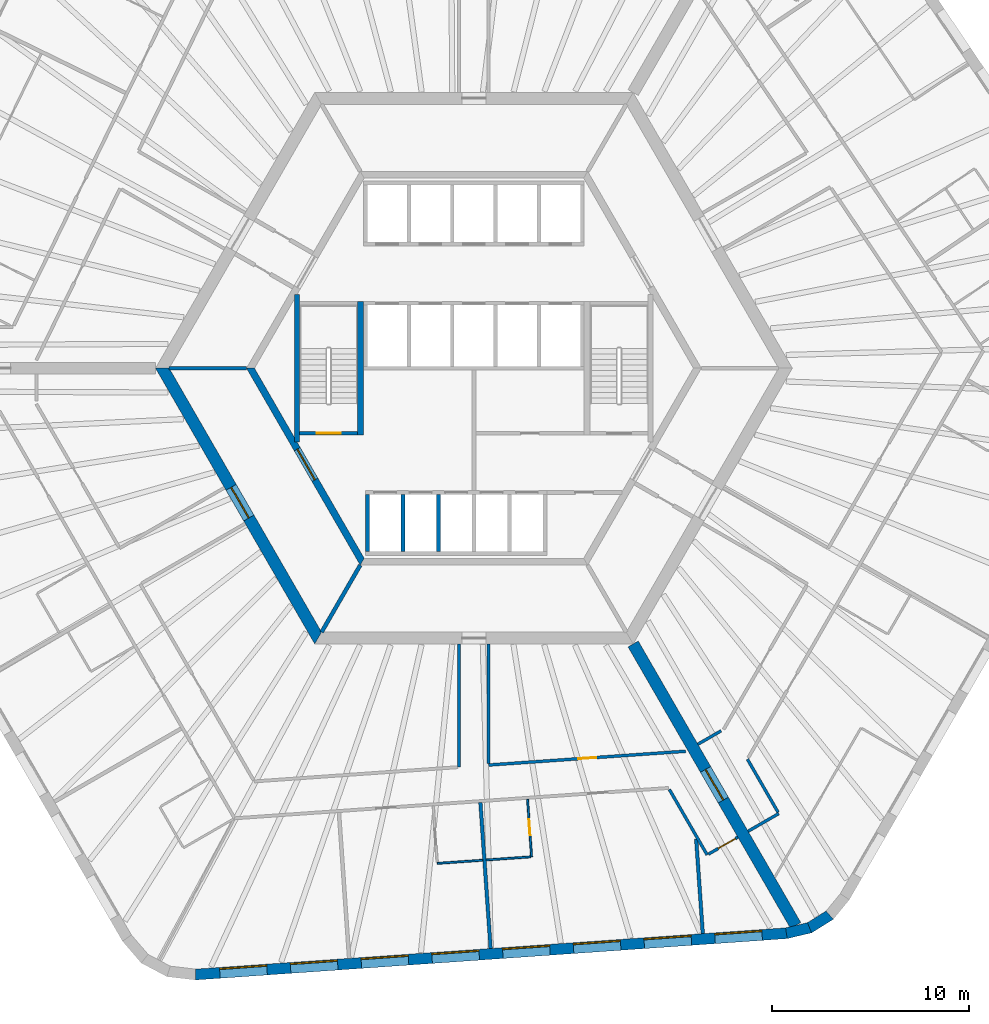
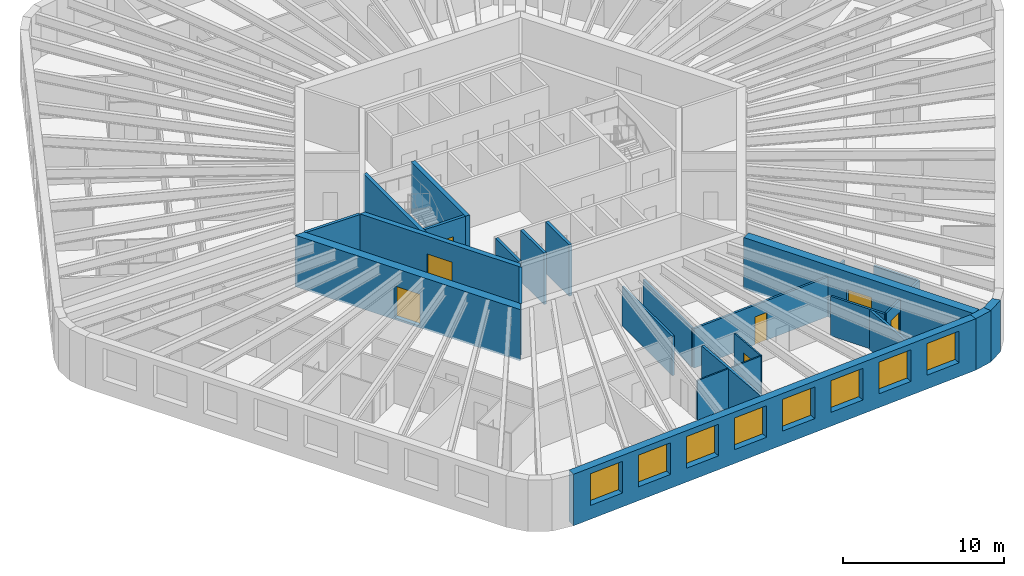
# One storey, part 4 of 12: 27 walls, 8 windows, 7 doors, 15 openings.
"""IFC4 building model written with IfcOpenShell, lengths in metres."""

from ifc_helpers import new_model, si_unit, direction, frame, frame_2d, origin, place, context, subcontext, project, spatial, polyline, rectangle, outline, extrude, material, layer, layer_set, type_object, element, fill, save


model = new_model("IFC4")

# Units and contexts
model_context = context("Model", 3, precision=1e-05, world=origin(), true_north=direction((0.0, 1.0)))
body_context = subcontext(model_context, "Body", "Model", "MODEL_VIEW")
ifc_project = project(units=[si_unit("LENGTHUNIT", "METRE"), si_unit("AREAUNIT", "SQUARE_METRE"), si_unit("VOLUMEUNIT", "CUBIC_METRE"), si_unit("PLANEANGLEUNIT", "RADIAN"), si_unit("MASSUNIT", "GRAM", prefix="KILO")], contexts=[model_context])

# Site, building, storey
site_placement = place(None, origin())
site = spatial("IfcSite", under=ifc_project, at=site_placement, CompositionType="ELEMENT")
building_placement = place(site_placement, origin())
building = spatial("IfcBuilding", under=site, at=building_placement, Name="Tarnside Tower", CompositionType="ELEMENT")
storey_placement = place(building_placement, frame((0.0, 0.0, 76.5)))
storey = spatial("IfcBuildingStorey", under=building, at=storey_placement, Name="L16", CompositionType="ELEMENT", Elevation=76.5)

# Wall
ifc_material_1 = material(Name="Gypsum board partition on steel studs", Category="steel")
ifc_layer_1 = layer(ifc_material_1, 0.10009765625)
ifc_layer_set_1 = layer_set([ifc_layer_1], Name="Bathroom wall 100")
wall_type_1 = type_object("IfcWallType", Name="Bathroom wall 100", PredefinedType="PARTITIONING", material=ifc_layer_set_1)
wall_1_placement = place(storey_placement, frame((0.4423828125, -24.97998046875, 0.0), z_axis=(0.0, 0.0, 1.0), x_axis=(-0.997563824095, -0.069759707979, 0.0)))
element("IfcWall", 1, at=wall_1_placement, inside=storey, type_object=wall_type_1, Name="Bathroom wall 04120", PredefinedType="PARTITIONING", context=body_context, shape_type="SweptSolid", body=[
    extrude(rectangle(XDim=2.309814453125, YDim=0.10009765625, at=frame_2d((1.15478515625, 0.0))), origin(), (0.0, 0.0, 1.0), 2.98779296875),
])

# Wall, opening, door
wall_2_placement = place(storey_placement, frame((2.722412109375, -21.888427734375, 0.0), z_axis=(0.0, 0.0, 1.0), x_axis=(0.069775971057, -0.997562686683, 0.0)))
wall_2 = element("IfcWall", 2, at=wall_2_placement, inside=storey, type_object=wall_type_1, Name="Bathroom wall 04124", PredefinedType="PARTITIONING", context=body_context, shape_type="SweptSolid", body=[
    extrude(rectangle(XDim=2.925048828125, YDim=0.10009765625, at=frame_2d((1.46240234375, 0.0))), origin(), (0.0, 0.0, 1.0), 2.98779296875),
])
opening_1_placement = place(wall_2_placement, frame((1.02490234375, 0.0, 0.0)))
opening_1 = element("IfcOpeningElement", 3, at=opening_1_placement, cuts=wall_2, Name="Opening D-B1", PredefinedType="OPENING", context=body_context, shape_type="SweptSolid", body=[
    extrude(rectangle(XDim=0.800048828125, YDim=2.10009765625, at=frame_2d((0.39990234375, 1.050048828125))), frame((0.0, 0.06005859375, 0.0), z_axis=(0.0, -1.0, 0.0), x_axis=(1.0, 0.0, 0.0)), (0.0, 0.0, 1.0), 0.1201171875),
])
ifc_material_2 = material(Name="Timber door leaf", Category="wood")
door_type_1 = type_object("IfcDoorType", Name="Bathroom door 800", OperationType="NOTDEFINED", PredefinedType="DOOR", material=ifc_material_2)
door_1_placement = place(opening_1_placement, origin())
door_1 = element("IfcDoor", 4, at=door_1_placement, inside=storey, type_object=door_type_1, Name="Bathroom door 04026", OperationType="SINGLE_SWING_RIGHT", OverallHeight=2.10009765625, OverallWidth=0.800048828125, PredefinedType="DOOR", context=body_context, shape_type="SweptSolid", body=[
    extrude(rectangle(XDim=0.800048828125, YDim=2.10009765625, at=frame_2d((0.39990234375, 1.050048828125))), frame((0.0, 0.02490234375, 0.0), z_axis=(0.0, -1.0, 0.0), x_axis=(1.0, 0.0, 0.0)), (0.0, 0.0, 1.0), 0.050048828125),
])
fill(opening_1, door_1)

# Wall
wall_3_placement = place(storey_placement, frame((2.87646484375, -24.809814453125, 0.0), z_axis=(0.0, 0.0, 1.0), x_axis=(-0.997561825928, -0.069788275888, 0.0)))
element("IfcWall", 5, at=wall_3_placement, inside=storey, type_object=wall_type_1, Name="Bathroom wall 04125", PredefinedType="PARTITIONING", context=body_context, shape_type="SweptSolid", body=[
    extrude(rectangle(XDim=2.260009765625, YDim=0.10009765625, at=frame_2d((1.1298828125, 0.0))), origin(), (0.0, 0.0, 1.0), 2.98779296875),
])

# Wall, opening, door
ifc_material_3 = material(Name="Concrete C50/60", Category="concrete")
ifc_layer_2 = layer(ifc_material_3, 0.35009765625)
ifc_layer_set_2 = layer_set([ifc_layer_2], Name="Core block wall 350 C50/60")
wall_type_2 = type_object("IfcWallType", Name="Core block wall 350 C50/60", PredefinedType="SHEAR", material=ifc_layer_set_2)
wall_4_placement = place(storey_placement, frame((-11.344970703125, 0.0, -0.14990234375), z_axis=(0.0, 0.0, 1.0), x_axis=(0.499995046907, -0.866028263435, 0.0)))
wall_4 = element("IfcWall", 6, at=wall_4_placement, inside=storey, type_object=wall_type_2, Name="L16 core block wall face 3", PredefinedType="SHEAR", context=body_context, shape_type="SweptSolid", body=[
    extrude(outline(polyline([(-0.10107421875, -0.175048828125), (11.44580078125, -0.175048828125), (11.24365234375, 0.175048828125), (0.10107421875, 0.175048828125), (-0.10107421875, -0.175048828125)])), origin(), (0.0, 0.0, 1.0), 3.89990234375),
])
opening_2_placement = place(wall_4_placement, frame((4.74365234375, 0.0, 0.14990234375)))
opening_2 = element("IfcOpeningElement", 7, at=opening_2_placement, cuts=wall_4, Name="Opening CD-FFL", PredefinedType="OPENING", context=body_context, shape_type="SweptSolid", body=[
    extrude(rectangle(XDim=1.800048828125, YDim=2.39990234375, at=frame_2d((0.89990234375, 1.199951171875))), frame((0.0, 0.18505859375, 0.0), z_axis=(0.0, -1.0, 0.0), x_axis=(1.0, 0.0, 0.0)), (0.0, 0.0, 1.0), 0.3701171875),
])
ifc_material_4 = material(Name="Steel fire door", Category="steel")
door_type_2 = type_object("IfcDoorType", Name="Firefighting lobby double door FD60S 1800x2400", OperationType="NOTDEFINED", PredefinedType="DOOR", material=ifc_material_4)
door_2_placement = place(opening_2_placement, origin())
door_2 = element("IfcDoor", 8, at=door_2_placement, inside=storey, type_object=door_type_2, Name="L16 lobby block door P3", OperationType="DOUBLE_DOOR_SINGLE_SWING", OverallHeight=2.39990234375, OverallWidth=1.800048828125, PredefinedType="DOOR", context=body_context, shape_type="SweptSolid", body=[
    extrude(rectangle(XDim=1.800048828125, YDim=2.39990234375, at=frame_2d((0.89990234375, 1.199951171875))), frame((0.0, 0.02490234375, 0.0), z_axis=(0.0, -1.0, 0.0), x_axis=(1.0, 0.0, 0.0)), (0.0, 0.0, 1.0), 0.050048828125),
])
fill(opening_2, door_2)

ifc_material_5 = material(Name="Concrete C80/95", Category="concrete")
ifc_layer_3 = layer(ifc_material_5, 0.60009765625)
ifc_layer_set_3 = layer_set([ifc_layer_3], Name="Core wall Z1 600 C80/95")
wall_type_3 = type_object("IfcWallType", Name="Core wall Z1 600 C80/95", PredefinedType="SHEAR", material=ifc_layer_set_3)
wall_5_placement = place(storey_placement, frame((-15.8193359375, 0.0, -0.14990234375), z_axis=(0.0, 0.0, 1.0), x_axis=(0.499999880136, -0.866025472988, 0.0)))
wall_5 = element("IfcWall", 9, at=wall_5_placement, inside=storey, type_object=wall_type_3, Name="L16 core wall face 3", PredefinedType="SHEAR", context=body_context, shape_type="SweptSolid", body=[
    extrude(outline(polyline([(-0.17333984375, -0.300048828125), (15.99267578125, -0.300048828125), (15.64599609375, 0.300048828125), (0.17333984375, 0.300048828125), (-0.17333984375, -0.300048828125)])), origin(), (0.0, 0.0, 1.0), 3.89990234375),
])
opening_3_placement = place(wall_5_placement, frame((6.980712890625, 0.0, 0.14990234375)))
opening_3 = element("IfcOpeningElement", 10, at=opening_3_placement, cuts=wall_5, Name="Opening CD-FFL", PredefinedType="OPENING", context=body_context, shape_type="SweptSolid", body=[
    extrude(rectangle(XDim=1.800048828125, YDim=2.39990234375, at=frame_2d((0.89990234375, 1.199951171875))), frame((0.0, 0.31005859375, 0.0), z_axis=(0.0, -1.0, 0.0), x_axis=(1.0, 0.0, 0.0)), (0.0, 0.0, 1.0), 0.6201171875),
])
door_3_placement = place(opening_3_placement, origin())
door_3 = element("IfcDoor", 11, at=door_3_placement, inside=storey, type_object=door_type_2, Name="L16 core door P3", OperationType="DOUBLE_DOOR_SINGLE_SWING", OverallHeight=2.39990234375, OverallWidth=1.800048828125, PredefinedType="DOOR", context=body_context, shape_type="SweptSolid", body=[
    extrude(rectangle(XDim=1.800048828125, YDim=2.39990234375, at=frame_2d((0.89990234375, 1.199951171875))), frame((0.0, 0.02490234375, 0.0), z_axis=(0.0, -1.0, 0.0), x_axis=(1.0, 0.0, 0.0)), (0.0, 0.0, 1.0), 0.050048828125),
])
fill(opening_3, door_3)

wall_6_placement = place(storey_placement, frame((8.0830078125, -14.0, -0.14990234375), z_axis=(0.0, 0.0, 1.0), x_axis=(0.499997680643, -0.866026742862, 0.0)))
wall_6 = element("IfcWall", 12, at=wall_6_placement, inside=storey, type_object=wall_type_3, Name="L16 spine wall 3", PredefinedType="SHEAR", context=body_context, shape_type="SweptSolid", body=[
    extrude(rectangle(XDim=16.5087890625, YDim=0.60009765625, at=frame_2d((8.25439453125, 0.0))), origin(), (0.0, 0.0, 1.0), 3.89990234375),
])
opening_4_placement = place(wall_6_placement, frame((7.3544921875, 0.0, 0.14990234375)))
opening_4 = element("IfcOpeningElement", 13, at=opening_4_placement, cuts=wall_6, Name="Opening CD-SPN", PredefinedType="OPENING", context=body_context, shape_type="SweptSolid", body=[
    extrude(rectangle(XDim=1.800048828125, YDim=2.39990234375, at=frame_2d((0.89990234375, 1.199951171875))), frame((0.0, 0.31005859375, 0.0), z_axis=(0.0, -1.0, 0.0), x_axis=(1.0, 0.0, 0.0)), (0.0, 0.0, 1.0), 0.6201171875),
])
door_type_3 = type_object("IfcDoorType", Name="Spine passage double door FD60 1800x2400", OperationType="NOTDEFINED", PredefinedType="DOOR", material=ifc_material_4)
door_4_placement = place(opening_4_placement, origin())
door_4 = element("IfcDoor", 14, at=door_4_placement, inside=storey, type_object=door_type_3, Name="L16 spine passage door 3", OperationType="DOUBLE_DOOR_SINGLE_SWING", OverallHeight=2.39990234375, OverallWidth=1.800048828125, PredefinedType="DOOR", context=body_context, shape_type="SweptSolid", body=[
    extrude(rectangle(XDim=1.800048828125, YDim=2.39990234375, at=frame_2d((0.89990234375, 1.199951171875))), frame((0.0, 0.02490234375, 0.0), z_axis=(0.0, -1.0, 0.0), x_axis=(1.0, 0.0, 0.0)), (0.0, 0.0, 1.0), 0.050048828125),
])
fill(opening_4, door_4)

# Wall
ifc_layer_4 = layer(ifc_material_1, 0.14990234375)
ifc_layer_set_4 = layer_set([ifc_layer_4], Name="Corridor wall 150 EI 60")
wall_type_4 = type_object("IfcWallType", Name="Corridor wall 150 EI 60", PredefinedType="PARTITIONING", material=ifc_layer_set_4)
wall_7_placement = place(storey_placement, frame((9.921630859375, -21.385009765625, 0.0), z_axis=(0.0, 0.0, 1.0), x_axis=(0.500023335103, -0.866011930837, 0.0)))
element("IfcWall", 15, at=wall_7_placement, inside=storey, type_object=wall_type_4, Name="Corridor wall 04037", PredefinedType="PARTITIONING", context=body_context, shape_type="SweptSolid", body=[
    extrude(rectangle(XDim=3.839599609375, YDim=0.14990234375, at=frame_2d((1.919921875, 0.0))), origin(), (0.0, 0.0, 1.0), 2.98779296875),
])

# Wall, opening, door
wall_8_placement = place(storey_placement, frame((11.906494140625, -24.672607421875, 0.0), z_axis=(0.0, 0.0, 1.0), x_axis=(0.866013532718, 0.500020560727, 0.0)))
wall_8 = element("IfcWall", 16, at=wall_8_placement, inside=storey, type_object=wall_type_4, Name="Corridor wall 04040", PredefinedType="PARTITIONING", context=body_context, shape_type="SweptSolid", body=[
    extrude(rectangle(XDim=1.72509765625, YDim=0.14990234375, at=frame_2d((0.862548828125, 0.0))), origin(), (0.0, 0.0, 1.0), 2.98779296875),
])
opening_5_placement = place(wall_8_placement, frame((0.574951171875, 0.0, 0.0)))
opening_5 = element("IfcOpeningElement", 17, at=opening_5_placement, cuts=wall_8, Name="Opening D-E1", PredefinedType="OPENING", context=body_context, shape_type="SweptSolid", body=[
    extrude(rectangle(XDim=1.0, YDim=2.10009765625, at=frame_2d((0.5, 1.050048828125))), frame((0.0, 0.0849609375, 0.0), z_axis=(0.0, -1.0, 0.0), x_axis=(1.0, 0.0, 0.0)), (0.0, 0.0, 1.0), 0.169921875),
])
door_type_4 = type_object("IfcDoorType", Name="Unit entrance door 1000 FD30S", OperationType="NOTDEFINED", PredefinedType="DOOR", material=ifc_material_2)
door_5_placement = place(opening_5_placement, origin())
door_5 = element("IfcDoor", 18, at=door_5_placement, inside=storey, type_object=door_type_4, Name="Unit door 04027", OperationType="SINGLE_SWING_LEFT", OverallHeight=2.10009765625, OverallWidth=1.0, PredefinedType="DOOR", context=body_context, shape_type="SweptSolid", body=[
    extrude(rectangle(XDim=1.0, YDim=2.10009765625, at=frame_2d((0.5, 1.050048828125))), frame((0.0, 0.02490234375, 0.0), z_axis=(0.0, -1.0, 0.0), x_axis=(1.0, 0.0, 0.0)), (0.0, 0.0, 1.0), 0.050048828125),
])
fill(opening_5, door_5)

# Wall
wall_9_placement = place(storey_placement, frame((-0.75, -14.0, 0.0), z_axis=(0.0, 0.0, 1.0), x_axis=(0.0, -1.0, 0.0)))
element("IfcWall", 19, at=wall_9_placement, inside=storey, type_object=wall_type_4, Name="Corridor wall 04044", PredefinedType="PARTITIONING", context=body_context, shape_type="SweptSolid", body=[
    extrude(rectangle(XDim=6.251708984375, YDim=0.14990234375, at=frame_2d((3.1259765625, 0.0))), origin(), (0.0, 0.0, 1.0), 2.98779296875),
])

# Wall, opening, door
wall_10_placement = place(storey_placement, frame((10.75439453125, -19.447265625, 0.0), z_axis=(0.0, 0.0, 1.0), x_axis=(-0.997564830966, -0.069745308232, 0.0)))
wall_10 = element("IfcWall", 20, at=wall_10_placement, inside=storey, type_object=wall_type_4, Name="Corridor wall 04048", PredefinedType="PARTITIONING", context=body_context, shape_type="SweptSolid", body=[
    extrude(rectangle(XDim=10.02880859375, YDim=0.14990234375, at=frame_2d((5.014404296875, 0.0))), origin(), (0.0, 0.0, 1.0), 2.98779296875),
])
opening_6_placement = place(wall_10_placement, frame((4.564453125, 0.0, 0.0)))
opening_6 = element("IfcOpeningElement", 21, at=opening_6_placement, cuts=wall_10, Name="Opening D-S1", PredefinedType="OPENING", context=body_context, shape_type="SweptSolid", body=[
    extrude(rectangle(XDim=0.89990234375, YDim=2.10009765625, at=frame_2d((0.449951171875, 1.050048828125))), frame((0.0, 0.0849609375, 0.0), z_axis=(0.0, -1.0, 0.0), x_axis=(1.0, 0.0, 0.0)), (0.0, 0.0, 1.0), 0.169921875),
])
door_type_5 = type_object("IfcDoorType", Name="Service room door 900 FD30S", OperationType="NOTDEFINED", PredefinedType="DOOR", material=ifc_material_2)
door_6_placement = place(opening_6_placement, origin())
door_6 = element("IfcDoor", 22, at=door_6_placement, inside=storey, type_object=door_type_5, Name="Service door 04046", OperationType="SINGLE_SWING_LEFT", OverallHeight=2.10009765625, OverallWidth=0.89990234375, PredefinedType="DOOR", context=body_context, shape_type="SweptSolid", body=[
    extrude(rectangle(XDim=0.89990234375, YDim=2.10009765625, at=frame_2d((0.449951171875, 1.050048828125))), frame((0.0, 0.02490234375, 0.0), z_axis=(0.0, -1.0, 0.0), x_axis=(1.0, 0.0, 0.0)), (0.0, 0.0, 1.0), 0.050048828125),
])
fill(opening_6, door_6)

# Walls
wall_11_placement = place(storey_placement, frame((0.75, -20.071533203125, 0.0), z_axis=(0.0, 0.0, 1.0), x_axis=(0.0, 1.0, 0.0)))
element("IfcWall", 23, at=wall_11_placement, inside=storey, type_object=wall_type_4, Name="Corridor wall 04049", PredefinedType="PARTITIONING", context=body_context, shape_type="SweptSolid", body=[
    extrude(rectangle(XDim=6.071533203125, YDim=0.14990234375, at=frame_2d((3.03564453125, 0.0))), origin(), (0.0, 0.0, 1.0), 2.98779296875),
])
wall_12_placement = place(storey_placement, frame((13.919921875, -23.510009765625, 0.0), z_axis=(0.0, 0.0, 1.0), x_axis=(0.866047807691, 0.499961193289, 0.0)))
element("IfcWall", 24, at=wall_12_placement, inside=storey, type_object=wall_type_4, Name="Corridor wall 04050", PredefinedType="PARTITIONING", context=body_context, shape_type="SweptSolid", body=[
    extrude(rectangle(XDim=1.800048828125, YDim=0.14990234375, at=frame_2d((0.89990234375, 0.0))), origin(), (0.0, 0.0, 1.0), 2.98779296875),
])
wall_13_placement = place(storey_placement, frame((15.44140625, -22.545166015625, 0.0), z_axis=(0.0, 0.0, 1.0), x_axis=(-0.500037089193, 0.86600398927, 0.0)))
element("IfcWall", 25, at=wall_13_placement, inside=storey, type_object=wall_type_4, Name="Corridor wall 04051", PredefinedType="PARTITIONING", context=body_context, shape_type="SweptSolid", body=[
    extrude(rectangle(XDim=3.112060546875, YDim=0.14990234375, at=frame_2d((1.55615234375, 0.0))), origin(), (0.0, 0.0, 1.0), 2.98779296875),
])
wall_14_placement = place(storey_placement, frame((12.552001953125, -18.409423828125, 0.0), z_axis=(0.0, 0.0, 1.0), x_axis=(-0.866078408764, -0.499908181442, 0.0)))
element("IfcWall", 26, at=wall_14_placement, inside=storey, type_object=wall_type_4, Name="Corridor wall 04073", PredefinedType="PARTITIONING", context=body_context, shape_type="SweptSolid", body=[
    extrude(rectangle(XDim=1.365478515625, YDim=0.14990234375, at=frame_2d((0.6826171875, 0.0))), origin(), (0.0, 0.0, 1.0), 2.98779296875),
])
ifc_layer_5 = layer(ifc_material_1, 0.179931640625)
ifc_layer_set_5 = layer_set([ifc_layer_5], Name="Demising wall 180 EI 60")
wall_type_5 = type_object("IfcWallType", Name="Demising wall 180 EI 60", PredefinedType="PARTITIONING", material=ifc_layer_set_5)
wall_15_placement = place(storey_placement, frame((0.84619140625, -29.462646484375, 0.0), z_axis=(0.0, 0.0, 1.0), x_axis=(-0.069774810252, 0.997562767877, 0.0)))
element("IfcWall", 27, at=wall_15_placement, inside=storey, type_object=wall_type_5, Name="Demising wall 04122", PredefinedType="PARTITIONING", context=body_context, shape_type="SweptSolid", body=[
    extrude(rectangle(XDim=7.4248046875, YDim=0.179931640625, at=frame_2d((3.71240234375, 0.0))), origin(), (0.0, 0.0, 1.0), 2.98779296875),
])
wall_16_placement = place(storey_placement, frame((11.619873046875, -28.70947265625, 0.0), z_axis=(0.0, 0.0, 1.0), x_axis=(-0.069777301394, 0.99756259363, 0.0)))
element("IfcWall", 28, at=wall_16_placement, inside=storey, type_object=wall_type_5, Name="Demising wall 04126", PredefinedType="PARTITIONING", context=body_context, shape_type="SweptSolid", body=[
    extrude(rectangle(XDim=4.828369140625, YDim=0.179931640625, at=frame_2d((2.4140625, 0.0))), origin(), (0.0, 0.0, 1.0), 2.98779296875),
])
ifc_material_6 = material(Name="Concrete C40/50", Category="concrete")
ifc_layer_6 = layer(ifc_material_6, 0.199951171875)
ifc_layer_set_6 = layer_set([ifc_layer_6], Name="Lift shaft wall 200 C40/50")
wall_type_6 = type_object("IfcWallType", Name="Lift shaft wall 200 C40/50", PredefinedType="SHEAR", material=ifc_layer_set_6)
for number, where, z_axis, x_axis, name in (
    (29, (-5.39990234375, -9.300048828125, -0.25), (0.0, 0.0, 1.0), (0.0, 1.0, 0.0), "L16 lift shaft partition R41"),
    (30, (-3.60009765625, -9.300048828125, -0.25), (0.0, 0.0, 1.0), (0.0, 1.0, 0.0), "L16 lift shaft partition R42"),
    (31, (-1.800048828125, -9.300048828125, -0.25), (0.0, 0.0, 1.0), (0.0, 1.0, 0.0), "L16 lift shaft partition R43"),
):
    element("IfcWall", number, at=place(storey_placement, frame(where, z_axis=z_axis, x_axis=x_axis)), inside=storey, type_object=wall_type_6, Name=name, PredefinedType="SHEAR", context=body_context, shape_type="SweptSolid", body=[
        extrude(rectangle(XDim=2.900146484375, YDim=0.199951171875, at=frame_2d((1.4501953125, 0.0))), origin(), (0.0, 0.0, 1.0), 3.89990234375),
    ])
wall_17_placement = place(storey_placement, frame((-11.547119140625, 0.0, -0.14990234375), z_axis=(0.0, 0.0, 1.0), x_axis=(-1.0, 0.0, 0.0)))
element("IfcWall", 32, at=wall_17_placement, inside=storey, type_object=wall_type_6, Name="L16 core partition AR180", PredefinedType="SHEAR", context=body_context, shape_type="SweptSolid", body=[
    extrude(rectangle(XDim=3.92578125, YDim=0.199951171875, at=frame_2d((1.962890625, 0.0))), origin(), (0.0, 0.0, 1.0), 3.89990234375),
])
wall_18_placement = place(storey_placement, frame((-5.7734375, -10.0, -0.14990234375), z_axis=(0.0, 0.0, 1.0), x_axis=(-0.500038251005, -0.86600331843, 0.0)))
element("IfcWall", 33, at=wall_18_placement, inside=storey, type_object=wall_type_6, Name="L16 core partition AR240", PredefinedType="SHEAR", context=body_context, shape_type="SweptSolid", body=[
    extrude(rectangle(XDim=3.926025390625, YDim=0.199951171875, at=frame_2d((1.962890625, 0.0))), origin(), (0.0, 0.0, 1.0), 3.89990234375),
])

# Wall, opening, door
wall_19_placement = place(storey_placement, frame((-8.85009765625, -3.300048828125, -0.25), z_axis=(0.0, 0.0, 1.0), x_axis=(1.0, 0.0, 0.0)))
wall_19 = element("IfcWall", 34, at=wall_19_placement, inside=storey, type_object=wall_type_6, Name="L16 stair 2 enclosure cap wall s", PredefinedType="SHEAR", context=body_context, shape_type="SweptSolid", body=[
    extrude(rectangle(XDim=2.9501953125, YDim=0.199951171875, at=frame_2d((1.47509765625, 0.0))), origin(), (0.0, 0.0, 1.0), 3.89990234375),
])
opening_7_placement = place(wall_19_placement, frame((0.875, 0.0, 0.25)))
opening_7 = element("IfcOpeningElement", 35, at=opening_7_placement, cuts=wall_19, Name="Opening CD-STR", PredefinedType="OPENING", context=body_context, shape_type="SweptSolid", body=[
    extrude(rectangle(XDim=1.199951171875, YDim=2.39990234375, at=frame_2d((0.60009765625, 1.199951171875))), frame((0.0, 0.10986328125, 0.0), z_axis=(0.0, -1.0, 0.0), x_axis=(1.0, 0.0, 0.0)), (0.0, 0.0, 1.0), 0.219970703125),
])
door_type_6 = type_object("IfcDoorType", Name="Stair door FD60S 1200x2400", OperationType="NOTDEFINED", PredefinedType="DOOR", material=ifc_material_4)
door_7_placement = place(opening_7_placement, origin())
door_7 = element("IfcDoor", 36, at=door_7_placement, inside=storey, type_object=door_type_6, Name="L16 stair 2 door", OperationType="SINGLE_SWING_LEFT", OverallHeight=2.39990234375, OverallWidth=1.199951171875, PredefinedType="DOOR", context=body_context, shape_type="SweptSolid", body=[
    extrude(rectangle(XDim=1.199951171875, YDim=2.39990234375, at=frame_2d((0.60009765625, 1.199951171875))), frame((0.0, 0.02490234375, 0.0), z_axis=(0.0, -1.0, 0.0), x_axis=(1.0, 0.0, 0.0)), (0.0, 0.0, 1.0), 0.050048828125),
])
fill(opening_7, door_7)

# Walls
ifc_layer_7 = layer(ifc_material_6, 0.25)
ifc_layer_set_7 = layer_set([ifc_layer_7], Name="Stair enclosure wall 250 C40/50")
wall_type_7 = type_object("IfcWallType", Name="Stair enclosure wall 250 C40/50", PredefinedType="SHEAR", material=ifc_layer_set_7)
wall_20_placement = place(storey_placement, frame((-8.97509765625, -3.7548828125, -0.25), z_axis=(0.0, 0.0, 1.0), x_axis=(0.0, 1.0, 0.0)))
element("IfcWall", 37, at=wall_20_placement, inside=storey, type_object=wall_type_7, Name="L16 stair 2 enclosure wall outer", PredefinedType="SHEAR", context=body_context, shape_type="SweptSolid", body=[
    extrude(rectangle(XDim=7.509765625, YDim=0.25, at=frame_2d((3.7548828125, 0.0))), origin(), (0.0, 0.0, 1.0), 3.89990234375),
])
ifc_layer_8 = layer(ifc_material_6, 0.300048828125)
ifc_layer_set_8 = layer_set([ifc_layer_8], Name="Stair enclosure wall 300 C40/50")
wall_type_8 = type_object("IfcWallType", Name="Stair enclosure wall 300 C40/50", PredefinedType="SHEAR", material=ifc_layer_set_8)
wall_21_placement = place(storey_placement, frame((-5.75, -3.39990234375, -0.25), z_axis=(0.0, 0.0, 1.0), x_axis=(0.0, 1.0, 0.0)))
element("IfcWall", 38, at=wall_21_placement, inside=storey, type_object=wall_type_8, Name="L16 stair 2 enclosure wall inner", PredefinedType="SHEAR", context=body_context, shape_type="SweptSolid", body=[
    extrude(rectangle(XDim=6.7998046875, YDim=0.300048828125, at=frame_2d((3.39990234375, 0.0))), origin(), (0.0, 0.0, 1.0), 3.89990234375),
])

# Wall, openings, windows
ifc_material_7 = material(Name="Facing brick", Category="masonry")
ifc_layer_9 = layer(ifc_material_7, 0.10205078125)
ifc_material_8 = material(Name="Concrete C60/75 precast", Category="concrete")
ifc_layer_10 = layer(ifc_material_8, 0.347900390625)
ifc_material_9 = material(Name="Mineral wool insulation")
ifc_layer_11 = layer(ifc_material_9, 0.10009765625)
ifc_layer_set_9 = layer_set([ifc_layer_9, ifc_layer_10, ifc_layer_11], Name="Tube wall 550 brick faced")
wall_type_9 = type_object("IfcWallType", Name="Tube wall 550 brick faced", PredefinedType="SOLIDWALL", material=ifc_layer_set_9)
wall_22_placement = place(storey_placement, frame((-14.133544921875, -30.785888671875, -0.14990234375), z_axis=(0.0, 0.0, 1.0), x_axis=(0.997564037441, 0.069756657061, 0.0)))
wall_22 = element("IfcWall", 39, at=wall_22_placement, inside=storey, type_object=wall_type_9, Name="Tube wall L16 F4 flush 12", PredefinedType="SOLIDWALL", context=body_context, shape_type="SweptSolid", body=[
    extrude(outline(polyline([(-0.025634765625, -0.27490234375), (30.093505859375, -0.27490234375), (30.048583984375, 0.27490234375), (0.025634765625, 0.27490234375), (-0.025634765625, -0.27490234375)])), origin(), (0.0, 0.0, 1.0), 3.89990234375),
])
opening_8_placement = place(wall_22_placement, frame((1.235595703125, 0.0, 1.050048828125)))
opening_8 = element("IfcOpeningElement", 40, at=opening_8_placement, cuts=wall_22, Name="Opening WH", PredefinedType="OPENING", context=body_context, shape_type="SweptSolid", body=[
    extrude(rectangle(XDim=2.39990234375, YDim=2.39990234375, at=frame_2d((1.199951171875, 1.199951171875))), frame((0.0, 0.28515625, 0.0), z_axis=(0.0, -1.0, 0.0), x_axis=(1.0, 0.0, 0.0)), (0.0, 0.0, 1.0), 0.570068359375),
])
opening_9_placement = place(wall_22_placement, frame((4.83544921875, 0.0, 1.050048828125)))
opening_9 = element("IfcOpeningElement", 41, at=opening_9_placement, cuts=wall_22, Name="Opening WH", PredefinedType="OPENING", context=body_context, shape_type="SweptSolid", body=[
    extrude(rectangle(XDim=2.39990234375, YDim=2.39990234375, at=frame_2d((1.199951171875, 1.199951171875))), frame((0.0, 0.28515625, 0.0), z_axis=(0.0, -1.0, 0.0), x_axis=(1.0, 0.0, 0.0)), (0.0, 0.0, 1.0), 0.570068359375),
])
opening_10_placement = place(wall_22_placement, frame((8.435546875, 0.0, 1.050048828125)))
opening_10 = element("IfcOpeningElement", 42, at=opening_10_placement, cuts=wall_22, Name="Opening WH", PredefinedType="OPENING", context=body_context, shape_type="SweptSolid", body=[
    extrude(rectangle(XDim=2.39990234375, YDim=2.39990234375, at=frame_2d((1.199951171875, 1.199951171875))), frame((0.0, 0.28515625, 0.0), z_axis=(0.0, -1.0, 0.0), x_axis=(1.0, 0.0, 0.0)), (0.0, 0.0, 1.0), 0.570068359375),
])
opening_11_placement = place(wall_22_placement, frame((12.035400390625, 0.0, 1.050048828125)))
opening_11 = element("IfcOpeningElement", 43, at=opening_11_placement, cuts=wall_22, Name="Opening WH", PredefinedType="OPENING", context=body_context, shape_type="SweptSolid", body=[
    extrude(rectangle(XDim=2.39990234375, YDim=2.39990234375, at=frame_2d((1.199951171875, 1.199951171875))), frame((0.0, 0.28515625, 0.0), z_axis=(0.0, -1.0, 0.0), x_axis=(1.0, 0.0, 0.0)), (0.0, 0.0, 1.0), 0.570068359375),
])
opening_12_placement = place(wall_22_placement, frame((15.635498046875, 0.0, 1.050048828125)))
opening_12 = element("IfcOpeningElement", 44, at=opening_12_placement, cuts=wall_22, Name="Opening WH", PredefinedType="OPENING", context=body_context, shape_type="SweptSolid", body=[
    extrude(rectangle(XDim=2.39990234375, YDim=2.39990234375, at=frame_2d((1.199951171875, 1.199951171875))), frame((0.0, 0.28515625, 0.0), z_axis=(0.0, -1.0, 0.0), x_axis=(1.0, 0.0, 0.0)), (0.0, 0.0, 1.0), 0.570068359375),
])
opening_13_placement = place(wall_22_placement, frame((19.235595703125, 0.0, 1.050048828125)))
opening_13 = element("IfcOpeningElement", 45, at=opening_13_placement, cuts=wall_22, Name="Opening WH", PredefinedType="OPENING", context=body_context, shape_type="SweptSolid", body=[
    extrude(rectangle(XDim=2.39990234375, YDim=2.39990234375, at=frame_2d((1.199951171875, 1.199951171875))), frame((0.0, 0.28515625, 0.0), z_axis=(0.0, -1.0, 0.0), x_axis=(1.0, 0.0, 0.0)), (0.0, 0.0, 1.0), 0.570068359375),
])
opening_14_placement = place(wall_22_placement, frame((22.83544921875, 0.0, 1.050048828125)))
opening_14 = element("IfcOpeningElement", 46, at=opening_14_placement, cuts=wall_22, Name="Opening WH", PredefinedType="OPENING", context=body_context, shape_type="SweptSolid", body=[
    extrude(rectangle(XDim=2.39990234375, YDim=2.39990234375, at=frame_2d((1.199951171875, 1.199951171875))), frame((0.0, 0.28515625, 0.0), z_axis=(0.0, -1.0, 0.0), x_axis=(1.0, 0.0, 0.0)), (0.0, 0.0, 1.0), 0.570068359375),
])
opening_15_placement = place(wall_22_placement, frame((26.435546875, 0.0, 1.050048828125)))
opening_15 = element("IfcOpeningElement", 47, at=opening_15_placement, cuts=wall_22, Name="Opening WH", PredefinedType="OPENING", context=body_context, shape_type="SweptSolid", body=[
    extrude(rectangle(XDim=2.39990234375, YDim=2.39990234375, at=frame_2d((1.199951171875, 1.199951171875))), frame((0.0, 0.28515625, 0.0), z_axis=(0.0, -1.0, 0.0), x_axis=(1.0, 0.0, 0.0)), (0.0, 0.0, 1.0), 0.570068359375),
])
ifc_material_10 = material(Name="Aluminium-framed double glazing", Category="aluminium")
window_type = type_object("IfcWindowType", Name="Hotel window 2400 x 2400", PartitioningType="DOUBLE_PANEL_VERTICAL", PredefinedType="WINDOW", material=ifc_material_10)
window_1_placement = place(opening_8_placement, frame((0.0, 0.205078125, 0.0)))
window_1 = element("IfcWindow", 48, at=window_1_placement, inside=storey, type_object=window_type, Name="E.WN.L16.F4.00", OverallHeight=2.39990234375, OverallWidth=2.39990234375, PartitioningType="DOUBLE_PANEL_VERTICAL", PredefinedType="WINDOW", context=body_context, shape_type="SweptSolid", body=[
    extrude(rectangle(XDim=2.39990234375, YDim=2.39990234375, at=frame_2d((1.199951171875, 1.199951171875))), frame((0.0, 0.030029296875, 0.0), z_axis=(0.0, -1.0, 0.0), x_axis=(1.0, 0.0, 0.0)), (0.0, 0.0, 1.0), 0.06005859375),
])
fill(opening_8, window_1)
window_2_placement = place(opening_9_placement, frame((0.0, 0.205078125, 0.0)))
window_2 = element("IfcWindow", 49, at=window_2_placement, inside=storey, type_object=window_type, Name="E.WN.L16.F4.01", OverallHeight=2.39990234375, OverallWidth=2.39990234375, PartitioningType="DOUBLE_PANEL_VERTICAL", PredefinedType="WINDOW", context=body_context, shape_type="SweptSolid", body=[
    extrude(rectangle(XDim=2.39990234375, YDim=2.39990234375, at=frame_2d((1.199951171875, 1.199951171875))), frame((0.0, 0.030029296875, 0.0), z_axis=(0.0, -1.0, 0.0), x_axis=(1.0, 0.0, 0.0)), (0.0, 0.0, 1.0), 0.06005859375),
])
fill(opening_9, window_2)
window_3_placement = place(opening_10_placement, frame((0.0, 0.205078125, 0.0)))
window_3 = element("IfcWindow", 50, at=window_3_placement, inside=storey, type_object=window_type, Name="E.WN.L16.F4.02", OverallHeight=2.39990234375, OverallWidth=2.39990234375, PartitioningType="DOUBLE_PANEL_VERTICAL", PredefinedType="WINDOW", context=body_context, shape_type="SweptSolid", body=[
    extrude(rectangle(XDim=2.39990234375, YDim=2.39990234375, at=frame_2d((1.199951171875, 1.199951171875))), frame((0.0, 0.030029296875, 0.0), z_axis=(0.0, -1.0, 0.0), x_axis=(1.0, 0.0, 0.0)), (0.0, 0.0, 1.0), 0.06005859375),
])
fill(opening_10, window_3)
window_4_placement = place(opening_11_placement, frame((0.0, 0.205078125, 0.0)))
window_4 = element("IfcWindow", 51, at=window_4_placement, inside=storey, type_object=window_type, Name="E.WN.L16.F4.03", OverallHeight=2.39990234375, OverallWidth=2.39990234375, PartitioningType="DOUBLE_PANEL_VERTICAL", PredefinedType="WINDOW", context=body_context, shape_type="SweptSolid", body=[
    extrude(rectangle(XDim=2.39990234375, YDim=2.39990234375, at=frame_2d((1.199951171875, 1.199951171875))), frame((0.0, 0.030029296875, 0.0), z_axis=(0.0, -1.0, 0.0), x_axis=(1.0, 0.0, 0.0)), (0.0, 0.0, 1.0), 0.06005859375),
])
fill(opening_11, window_4)
window_5_placement = place(opening_12_placement, frame((0.0, 0.205078125, 0.0)))
window_5 = element("IfcWindow", 52, at=window_5_placement, inside=storey, type_object=window_type, Name="E.WN.L16.F4.04", OverallHeight=2.39990234375, OverallWidth=2.39990234375, PartitioningType="DOUBLE_PANEL_VERTICAL", PredefinedType="WINDOW", context=body_context, shape_type="SweptSolid", body=[
    extrude(rectangle(XDim=2.39990234375, YDim=2.39990234375, at=frame_2d((1.199951171875, 1.199951171875))), frame((0.0, 0.030029296875, 0.0), z_axis=(0.0, -1.0, 0.0), x_axis=(1.0, 0.0, 0.0)), (0.0, 0.0, 1.0), 0.06005859375),
])
fill(opening_12, window_5)
window_6_placement = place(opening_13_placement, frame((0.0, 0.205078125, 0.0)))
window_6 = element("IfcWindow", 53, at=window_6_placement, inside=storey, type_object=window_type, Name="E.WN.L16.F4.05", OverallHeight=2.39990234375, OverallWidth=2.39990234375, PartitioningType="DOUBLE_PANEL_VERTICAL", PredefinedType="WINDOW", context=body_context, shape_type="SweptSolid", body=[
    extrude(rectangle(XDim=2.39990234375, YDim=2.39990234375, at=frame_2d((1.199951171875, 1.199951171875))), frame((0.0, 0.030029296875, 0.0), z_axis=(0.0, -1.0, 0.0), x_axis=(1.0, 0.0, 0.0)), (0.0, 0.0, 1.0), 0.06005859375),
])
fill(opening_13, window_6)
window_7_placement = place(opening_14_placement, frame((0.0, 0.205078125, 0.0)))
window_7 = element("IfcWindow", 54, at=window_7_placement, inside=storey, type_object=window_type, Name="E.WN.L16.F4.06", OverallHeight=2.39990234375, OverallWidth=2.39990234375, PartitioningType="DOUBLE_PANEL_VERTICAL", PredefinedType="WINDOW", context=body_context, shape_type="SweptSolid", body=[
    extrude(rectangle(XDim=2.39990234375, YDim=2.39990234375, at=frame_2d((1.199951171875, 1.199951171875))), frame((0.0, 0.030029296875, 0.0), z_axis=(0.0, -1.0, 0.0), x_axis=(1.0, 0.0, 0.0)), (0.0, 0.0, 1.0), 0.06005859375),
])
fill(opening_14, window_7)
window_8_placement = place(opening_15_placement, frame((0.0, 0.205078125, 0.0)))
window_8 = element("IfcWindow", 55, at=window_8_placement, inside=storey, type_object=window_type, Name="E.WN.L16.F4.07", OverallHeight=2.39990234375, OverallWidth=2.39990234375, PartitioningType="DOUBLE_PANEL_VERTICAL", PredefinedType="WINDOW", context=body_context, shape_type="SweptSolid", body=[
    extrude(rectangle(XDim=2.39990234375, YDim=2.39990234375, at=frame_2d((1.199951171875, 1.199951171875))), frame((0.0, 0.030029296875, 0.0), z_axis=(0.0, -1.0, 0.0), x_axis=(1.0, 0.0, 0.0)), (0.0, 0.0, 1.0), 0.06005859375),
])
fill(opening_15, window_8)

# Walls
wall_23_placement = place(storey_placement, frame((15.8642578125, -28.688232421875, -0.14990234375), z_axis=(0.0, 0.0, 1.0), x_axis=(0.973063591128, 0.230536868247, 0.0)))
element("IfcWall", 56, at=wall_23_placement, inside=storey, type_object=wall_type_9, Name="Tube wall L16 F4 chord 13", PredefinedType="SOLIDWALL", context=body_context, shape_type="SweptSolid", body=[
    extrude(outline(polyline([(-0.0224609375, -0.27490234375), (1.25341796875, -0.27490234375), (1.1630859375, 0.27490234375), (0.0224609375, 0.27490234375), (-0.0224609375, -0.27490234375)])), origin(), (0.0, 0.0, 1.0), 3.89990234375),
])
wall_24_placement = place(storey_placement, frame((17.0400390625, -28.40966796875, -0.14990234375), z_axis=(0.0, 0.0, 1.0), x_axis=(0.847952888306, 0.530071598195, 0.0)))
element("IfcWall", 57, at=wall_24_placement, inside=storey, type_object=wall_type_9, Name="Tube wall L16 F4 chord 14", PredefinedType="SOLIDWALL", context=body_context, shape_type="SweptSolid", body=[
    extrude(outline(polyline([(-0.045166015625, -0.27490234375), (1.253173828125, -0.27490234375), (1.162841796875, 0.27490234375), (0.045166015625, 0.27490234375), (-0.045166015625, -0.27490234375)])), origin(), (0.0, 0.0, 1.0), 3.89990234375),
])

save(model, "model.ifc")
